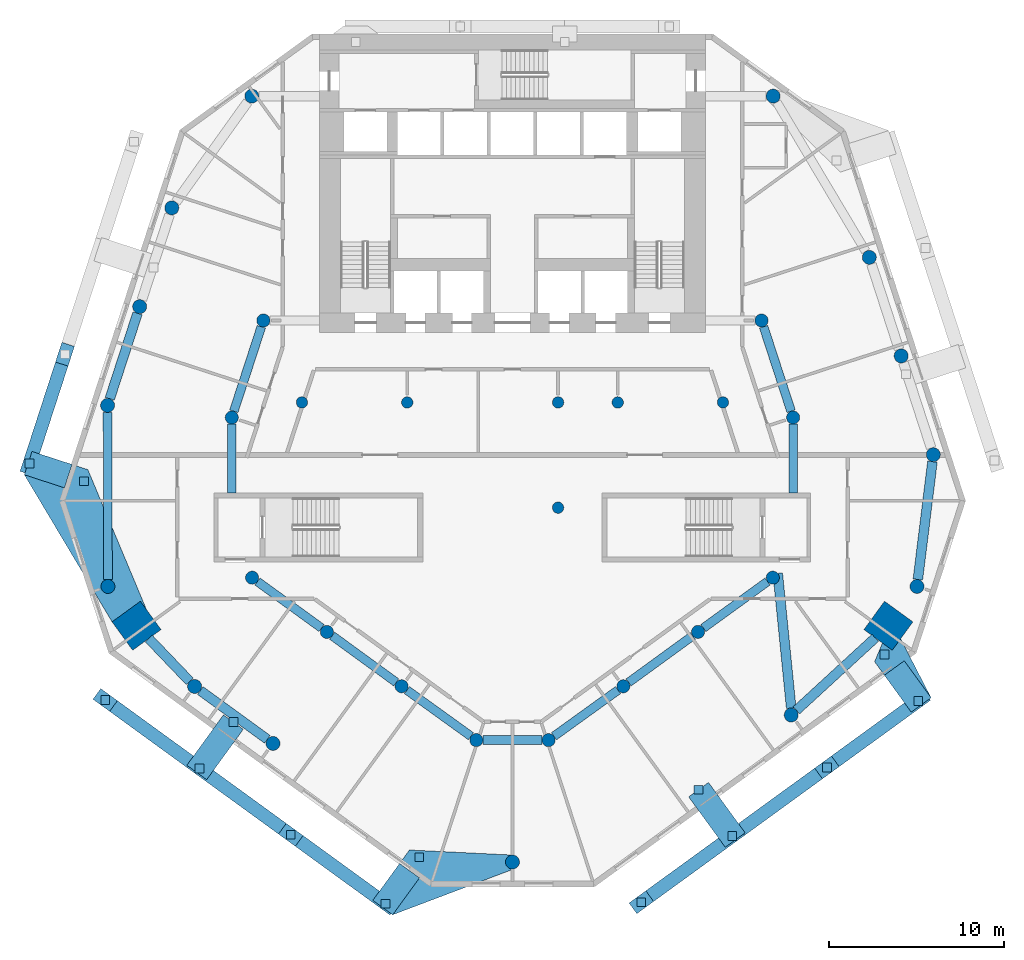
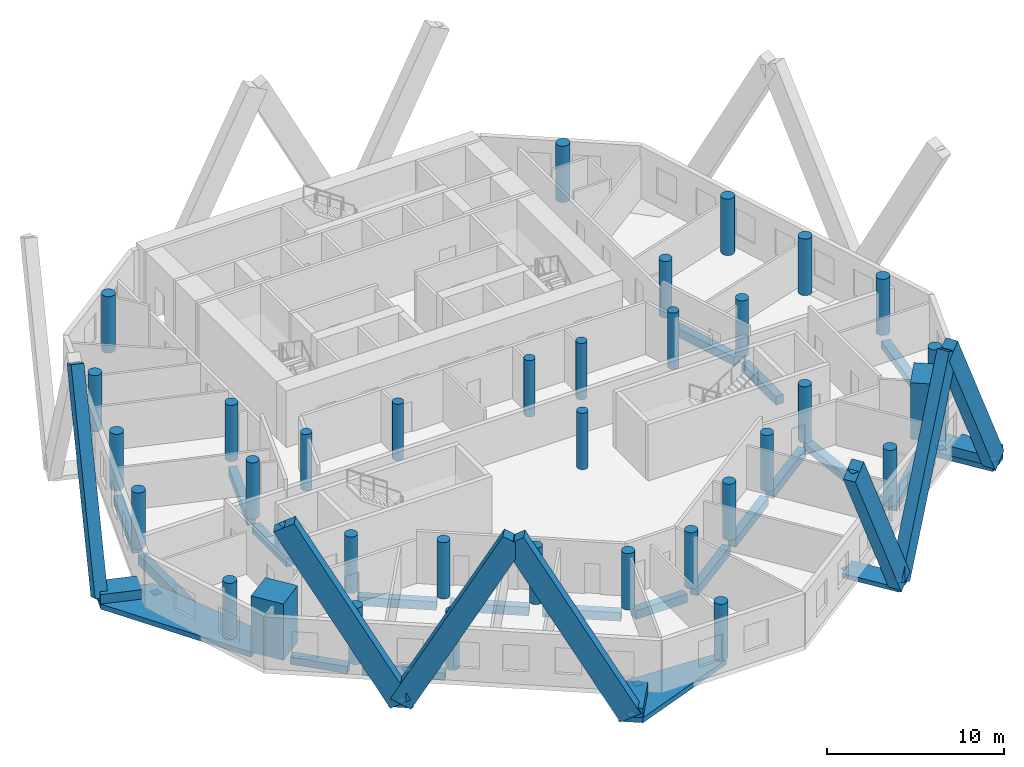
# One storey, part 1 of 10: 34 columns, 18 beams, 15 members, 14 discrete accessories.
"""IFC4 building model written with IfcOpenShell, lengths in metres."""

from ifc_helpers import new_model, si_unit, direction, frame, origin, origin_2d, place, context, subcontext, project, spatial, polyline, rectangle, circle, outline, extrude, material, layer, layer_set, material_profile, profile_set, type_object, element, aggregate, save


model = new_model("IFC4")

# Units and contexts
model_context = context("Model", 3, precision=1e-05, world=origin(), true_north=direction((0.0, 1.0)))
body_context = subcontext(model_context, "Body", "Model", "MODEL_VIEW")
ifc_project = project(units=[si_unit("LENGTHUNIT", "METRE"), si_unit("AREAUNIT", "SQUARE_METRE"), si_unit("VOLUMEUNIT", "CUBIC_METRE"), si_unit("PLANEANGLEUNIT", "RADIAN"), si_unit("MASSUNIT", "GRAM", prefix="KILO")], contexts=[model_context])

# Site, building, storey
site_placement = place(None, origin())
site = spatial("IfcSite", under=ifc_project, at=site_placement, CompositionType="ELEMENT")
building_placement = place(site_placement, origin())
building = spatial("IfcBuilding", under=site, at=building_placement, Name="White Candle Pilgrim Tower", CompositionType="ELEMENT")
storey_placement = place(building_placement, frame((0.0, 0.0, 102.5)))
storey = spatial("IfcBuildingStorey", under=building, at=storey_placement, Name="L22", CompositionType="ELEMENT", Elevation=102.5)

# Columns
ifc_material_1 = material(Name="Concrete C80/95", Category="concrete")
ifc_material_profile_1 = material_profile(ifc_material_1, circle(Radius=0.324951171875, at=origin_2d()), Name="RC-COL D650")
ifc_profile_set_1 = profile_set([ifc_material_profile_1], Name="Concrete C80/95")
column_type_1 = type_object("IfcColumnType", Name="Interior column RC-COL D650 C80/95", PredefinedType="COLUMN", material=ifc_profile_set_1)
for number, where, z_axis, x_axis, name in (
    (1, (58.0, 67.0, 0.0), (0.0, 0.0, 1.0), (1.0, 0.0, 0.0), "L22 column I01"),
    (2, (64.0, 67.0, 0.0), (0.0, 0.0, 1.0), (1.0, 0.0, 0.0), "L22 column I02"),
    (3, (72.60009765625, 61.0, 0.0), (0.0, 0.0, 1.0), (1.0, 0.0, 0.0), "L22 column I03"),
    (4, (72.60009765625, 67.0, 0.0), (0.0, 0.0, 1.0), (1.0, 0.0, 0.0), "L22 column I04"),
    (5, (76.0, 67.0, 0.0), (0.0, 0.0, 1.0), (1.0, 0.0, 0.0), "L22 column I05"),
    (6, (82.0, 67.0, 0.0), (0.0, 0.0, 1.0), (1.0, 0.0, 0.0), "L22 column I06"),
):
    element("IfcColumn", number, at=place(storey_placement, frame(where, z_axis=z_axis, x_axis=x_axis)), inside=storey, type_object=column_type_1, Name=name, PredefinedType="COLUMN", context=body_context, shape_type="SweptSolid", body=[
        extrude(circle(Radius=0.324951171875, at=origin_2d()), origin(), (0.0, 0.0, 1.0), 3.89990234375),
    ])
ifc_material_profile_2 = material_profile(ifc_material_1, rectangle(XDim=2.0, YDim=2.0, at=origin_2d()), Name="RC 2000x2000")
ifc_profile_set_2 = profile_set([ifc_material_profile_2], Name="Concrete C80/95")
column_type_2 = type_object("IfcColumnType", Name="Mega column RC 2000x2000 C80/95", PredefinedType="COLUMN", material=ifc_profile_set_2)
for number, where, z_axis, x_axis, name in (
    (7, (48.570068359375, 54.27001953125, 0.0), (0.0, 0.0, 1.0), (-0.809016994375, -0.587785252292, 0.0), "L22 mega column T02"),
    (8, (91.429931640625, 54.27001953125, 0.0), (0.0, 0.0, 1.0), (0.809016994375, -0.587785252292, 0.0), "L22 mega column T07"),
):
    element("IfcColumn", number, at=place(storey_placement, frame(where, z_axis=z_axis, x_axis=x_axis)), inside=storey, type_object=column_type_2, Name=name, PredefinedType="COLUMN", context=body_context, shape_type="SweptSolid", body=[
        extrude(rectangle(XDim=2.0, YDim=2.0, at=origin_2d()), origin(), (0.0, 0.0, 1.0), 3.89990234375),
    ])
ifc_material_profile_3 = material_profile(ifc_material_1, circle(Radius=0.39990234375, at=origin_2d()), Name="RC-COL D800")
ifc_profile_set_3 = profile_set([ifc_material_profile_3], Name="Concrete C80/95")
column_type_3 = type_object("IfcColumnType", Name="Perimeter column RC-COL D800 C80/95", PredefinedType="COLUMN", material=ifc_profile_set_3)
for number, where, z_axis, x_axis, name in (
    (9, (46.93994140625, 56.510009765625, 0.0), (0.0, 0.0, 1.0), (1.0, 0.0, 0.0), "L22 column T01"),
    (10, (51.8798828125, 50.81005859375, 0.0), (0.0, 0.0, 1.0), (1.0, 0.0, 0.0), "L22 column T03"),
    (11, (56.35009765625, 47.56005859375, 0.0), (0.0, 0.0, 1.0), (1.0, 0.0, 0.0), "L22 column T04"),
    (12, (70.0, 40.800048828125, 0.0), (0.0, 0.0, 1.0), (1.0, 0.0, 0.0), "L22 column T05"),
    (13, (85.889892578125, 49.179931640625, 0.0), (0.0, 0.0, 1.0), (1.0, 0.0, 0.0), "L22 column T06"),
    (14, (93.06005859375, 56.510009765625, 0.0), (0.0, 0.0, 1.0), (1.0, 0.0, 0.0), "L22 column T08"),
    (15, (93.989990234375, 64.02001953125, 0.0), (0.0, 0.0, 1.0), (1.0, 0.0, 0.0), "L22 column T09"),
    (16, (92.159912109375, 69.64990234375, 0.0), (0.0, 0.0, 1.0), (1.0, 0.0, 0.0), "L22 column T10"),
    (17, (90.340087890625, 75.27001953125, 0.0), (0.0, 0.0, 1.0), (1.0, 0.0, 0.0), "L22 column T11"),
    (18, (84.860107421875, 84.4599609375, 0.0), (0.0, 0.0, 1.0), (1.0, 0.0, 0.0), "L22 column T12"),
    (19, (55.139892578125, 84.4599609375, 0.0), (0.0, 0.0, 1.0), (1.0, 0.0, 0.0), "L22 column T13"),
    (20, (50.580078125, 78.090087890625, 0.0), (0.0, 0.0, 1.0), (1.0, 0.0, 0.0), "L22 column T14"),
    (21, (48.75, 72.4599609375, 0.0), (0.0, 0.0, 1.0), (1.0, 0.0, 0.0), "L22 column T15"),
    (22, (46.919921875, 66.830078125, 0.0), (0.0, 0.0, 1.0), (1.0, 0.0, 0.0), "L22 column T16"),
):
    element("IfcColumn", number, at=place(storey_placement, frame(where, z_axis=z_axis, x_axis=x_axis)), inside=storey, type_object=column_type_3, Name=name, PredefinedType="COLUMN", context=body_context, shape_type="SweptSolid", body=[
        extrude(circle(Radius=0.39990234375, at=origin_2d()), origin(), (0.0, 0.0, 1.0), 3.89990234375),
    ])
ifc_material_profile_4 = material_profile(ifc_material_1, circle(Radius=0.375, at=origin_2d()), Name="RC-COL D750")
ifc_profile_set_4 = profile_set([ifc_material_profile_4], Name="Concrete C80/95")
column_type_4 = type_object("IfcColumnType", Name="Ring column RC-COL D750 C80/95", PredefinedType="COLUMN", material=ifc_profile_set_4)
for number, where, z_axis, x_axis, name in (
    (23, (55.159912109375, 57.010009765625, 0.0), (0.0, 0.0, 1.0), (1.0, 0.0, 0.0), "L22 column R01"),
    (24, (59.419921875, 53.919921875, 0.0), (0.0, 0.0, 1.0), (1.0, 0.0, 0.0), "L22 column R02"),
    (25, (63.679931640625, 50.820068359375, 0.0), (0.0, 0.0, 1.0), (1.0, 0.0, 0.0), "L22 column R03"),
    (26, (67.93994140625, 47.75, 0.0), (0.0, 0.0, 1.0), (1.0, 0.0, 0.0), "L22 column R04"),
    (27, (72.06005859375, 47.75, 0.0), (0.0, 0.0, 1.0), (1.0, 0.0, 0.0), "L22 column R05"),
    (28, (76.320068359375, 50.820068359375, 0.0), (0.0, 0.0, 1.0), (1.0, 0.0, 0.0), "L22 column R06"),
    (29, (80.580078125, 53.919921875, 0.0), (0.0, 0.0, 1.0), (1.0, 0.0, 0.0), "L22 column R07"),
    (30, (84.840087890625, 57.010009765625, 0.0), (0.0, 0.0, 1.0), (1.0, 0.0, 0.0), "L22 column R08"),
    (31, (86.0, 66.139892578125, 0.0), (0.0, 0.0, 1.0), (1.0, 0.0, 0.0), "L22 column R09"),
    (32, (84.199951171875, 71.669921875, 0.0), (0.0, 0.0, 1.0), (1.0, 0.0, 0.0), "L22 column R10"),
    (33, (55.800048828125, 71.669921875, 0.0), (0.0, 0.0, 1.0), (1.0, 0.0, 0.0), "L22 column R11"),
    (34, (54.0, 66.139892578125, 0.0), (0.0, 0.0, 1.0), (1.0, 0.0, 0.0), "L22 column R12"),
):
    element("IfcColumn", number, at=place(storey_placement, frame(where, z_axis=z_axis, x_axis=x_axis)), inside=storey, type_object=column_type_4, Name=name, PredefinedType="COLUMN", context=body_context, shape_type="SweptSolid", body=[
        extrude(circle(Radius=0.375, at=origin_2d()), origin(), (0.0, 0.0, 1.0), 3.89990234375),
    ])

# Member
ifc_material_2 = material(Name="Concrete C80/95, white", Category="concrete")
ifc_material_profile_5 = material_profile(ifc_material_2, rectangle(XDim=0.75, YDim=1.35009765625, at=origin_2d()), Name="RC-DG 750x1350")
ifc_profile_set_5 = profile_set([ifc_material_profile_5], Name="Concrete C80/95, white")
member_type_1 = type_object("IfcMemberType", Name="Exoskeleton diagonal RC-DG 750x1350 C80/95", PredefinedType="BRACE", material=ifc_profile_set_5)
member_1_placement = place(storey_placement, frame((82.534423828125, 42.27734375, 0.0), z_axis=(-0.388829964377, -0.282495975813, 0.876930602985), x_axis=(0.587777722186, -0.809022465264, 0.0)))
member_1 = element("IfcMember", 35, at=member_1_placement, inside=storey, type_object=member_type_1, Name="Exoskeleton diagonal EX088", PredefinedType="BRACE", context=body_context, shape_type="SweptSolid", body=[
    extrude(rectangle(XDim=0.75, YDim=1.35009765625, at=origin_2d()), origin(), (0.0, 0.0, 1.0), 13.342041015625),
])

member_2_placement = place(storey_placement, frame((82.534423828125, 42.27734375, 0.0), z_axis=(0.400419608699, 0.290922505958, 0.868923605673), x_axis=(-0.587786086968, 0.809016387947, 0.0)))
member_2 = element("IfcMember", 36, at=member_2_placement, inside=storey, type_object=member_type_1, Name="Exoskeleton diagonal EX089", PredefinedType="BRACE", context=body_context, shape_type="SweptSolid", body=[
    extrude(rectangle(XDim=0.75, YDim=1.35009765625, at=origin_2d()), origin(), (0.0, 0.0, 1.0), 13.46484375),
])

member_3_placement = place(storey_placement, frame((93.135498046875, 49.9794921875, 0.0), z_axis=(-0.390079858208, -0.283410255966, 0.87608009396), x_axis=(0.587786134163, -0.809016353658, 0.0)))
member_3 = element("IfcMember", 37, at=member_3_placement, inside=storey, type_object=member_type_1, Name="Exoskeleton diagonal EX090", PredefinedType="BRACE", context=body_context, shape_type="SweptSolid", body=[
    extrude(rectangle(XDim=0.75, YDim=1.35009765625, at=origin_2d()), origin(), (0.0, 0.0, 1.0), 13.35498046875),
])

member_4_placement = place(storey_placement, frame((52.1650390625, 46.12841796875, 0.0), z_axis=(-0.399816878868, 0.290484014579, 0.869347744373), x_axis=(-0.587785316746, -0.809016947547, 0.0)))
member_4 = element("IfcMember", 38, at=member_4_placement, inside=storey, type_object=member_type_1, Name="Exoskeleton diagonal EX100", PredefinedType="BRACE", context=body_context, shape_type="SweptSolid", body=[
    extrude(rectangle(XDim=0.75, YDim=1.35009765625, at=origin_2d()), origin(), (0.0, 0.0, 1.0), 13.458251953125),
])

member_5_placement = place(storey_placement, frame((52.1650390625, 46.12841796875, 0.0), z_axis=(0.389448616271, -0.282946043005, 0.876510873881), x_axis=(0.587778536732, 0.809021873473, 0.0)))
member_5 = element("IfcMember", 39, at=member_5_placement, inside=storey, type_object=member_type_1, Name="Exoskeleton diagonal EX101", PredefinedType="BRACE", context=body_context, shape_type="SweptSolid", body=[
    extrude(rectangle(XDim=0.75, YDim=1.35009765625, at=origin_2d()), origin(), (0.0, 0.0, 1.0), 13.348388671875),
])

member_6_placement = place(storey_placement, frame((62.76611328125, 38.42626953125, 0.0), z_axis=(-0.401034546759, 0.291374822305, 0.868488344903), x_axis=(-0.58779339733, -0.809011076596, 0.0)))
member_6 = element("IfcMember", 40, at=member_6_placement, inside=storey, type_object=member_type_1, Name="Exoskeleton diagonal EX102", PredefinedType="BRACE", context=body_context, shape_type="SweptSolid", body=[
    extrude(rectangle(XDim=0.75, YDim=1.35009765625, at=origin_2d()), origin(), (0.0, 0.0, 1.0), 13.4716796875),
])

member_7_placement = place(storey_placement, frame((42.466064453125, 63.516357421875, 0.0), z_axis=(0.150958396212, 0.464600819702, 0.872558101759), x_axis=(-0.951056252185, 0.309017807221, 0.0)))
member_7 = element("IfcMember", 41, at=member_7_placement, inside=storey, type_object=member_type_1, Name="Exoskeleton diagonal EX114", PredefinedType="BRACE", context=body_context, shape_type="SweptSolid", body=[
    extrude(rectangle(XDim=0.75, YDim=1.35009765625, at=origin_2d()), origin(), (0.0, 0.0, 1.0), 13.40869140625),
])

ifc_material_3 = material(Name="Concrete C70/85, white", Category="concrete")
ifc_layer_1 = layer(ifc_material_3, 0.300048828125)
ifc_layer_set_1 = layer_set([ifc_layer_1], Name="Node tie strut 3350x1400x300 C70/85")
member_type_2 = type_object("IfcMemberType", Name="Node tie strut 3350x1400x300 C70/85", PredefinedType="STRUT", material=ifc_layer_set_1)
member_8_placement = place(storey_placement, frame((0.0, 0.0, -0.35009765625)))
member_8 = element("IfcMember", 42, at=member_8_placement, inside=storey, type_object=member_type_2, Name="Node tie strut NC070", PredefinedType="STRUT", context=body_context, shape_type="SweptSolid", body=[
    extrude(outline(polyline([(47.173095703125, 54.4912109375), (48.791259765625, 55.666748046875), (49.140869140625, 55.185546875), (45.797119140625, 63.170166015625), (42.611083984375, 64.205322265625), (42.178466796875, 62.873779296875), (47.173095703125, 54.4912109375)])), origin(), (0.0, 0.0, 1.0), 0.35009765625),
])

member_9_placement = place(storey_placement, origin())
element("IfcMember", 43, at=member_9_placement, inside=storey, type_object=member_type_2, Name="Node tie strut NC070", PredefinedType="STRUT", context=body_context, shape_type="SweptSolid", body=[
    extrude(outline(polyline([(44.4609375, 62.132080078125), (44.8935546875, 63.463623046875), (42.611083984375, 64.205322265625), (42.178466796875, 62.873779296875), (44.4609375, 62.132080078125)])), origin(), (0.0, 0.0, 1.0), 0.64990234375),
])

ifc_layer_2 = layer(ifc_material_3, 0.300048828125)
ifc_layer_set_2 = layer_set([ifc_layer_2], Name="Node tie strut 3550x1400x300 C70/85")
member_type_3 = type_object("IfcMemberType", Name="Node tie strut 3550x1400x300 C70/85", PredefinedType="STRUT", material=ifc_layer_set_2)
member_10_placement = place(storey_placement, frame((81.652587890625, 43.490966796875, -0.2998046875), z_axis=(0.0, 0.0, 1.0), x_axis=(0.809016994375, 0.587785252292, 0.0)))
member_10 = element("IfcMember", 44, at=member_10_placement, inside=storey, type_object=member_type_3, Name="Node tie strut NC065", PredefinedType="STRUT", context=body_context, shape_type="SweptSolid", body=[
    extrude(rectangle(XDim=1.39990234375, YDim=3.550048828125, at=origin_2d()), origin(), (0.0, 0.0, 1.0), 0.300048828125),
])

member_11_placement = place(storey_placement, frame((0.0, 0.0, -0.35009765625)))
member_11 = element("IfcMember", 45, at=member_11_placement, inside=storey, type_object=member_type_3, Name="Node tie strut NC066", PredefinedType="STRUT", context=body_context, shape_type="SweptSolid", body=[
    extrude(outline(polyline([(92.73095703125, 49.345703125), (93.863525390625, 50.16845703125), (92.126708984375, 53.52734375), (91.651123046875, 52.873291015625), (91.08837890625, 53.281982421875), (90.644287109375, 52.2177734375), (92.73095703125, 49.345703125)])), origin(), (0.0, 0.0, 1.0), 0.35009765625),
])

member_12_placement = place(storey_placement, origin())
element("IfcMember", 46, at=member_12_placement, inside=storey, type_object=member_type_3, Name="Node tie strut NC066", PredefinedType="STRUT", context=body_context, shape_type="SweptSolid", body=[
    extrude(outline(polyline([(92.73095703125, 49.345703125), (93.863525390625, 50.16845703125), (92.335205078125, 52.27197265625), (91.20263671875, 51.44921875), (92.73095703125, 49.345703125)])), origin(), (0.0, 0.0, 1.0), 0.64990234375),
])

member_13_placement = place(storey_placement, frame((53.046630859375, 47.342041015625, -0.2998046875), z_axis=(0.0, 0.0, 1.0), x_axis=(0.809016994375, -0.587785252292, 0.0)))
member_13 = element("IfcMember", 47, at=member_13_placement, inside=storey, type_object=member_type_3, Name="Node tie strut NC067", PredefinedType="STRUT", context=body_context, shape_type="SweptSolid", body=[
    extrude(rectangle(XDim=1.39990234375, YDim=3.550048828125, at=origin_2d()), origin(), (0.0, 0.0, 1.0), 0.300048828125),
])

member_14_placement = place(storey_placement, frame((0.0, 0.0, -0.35009765625)))
member_14 = element("IfcMember", 48, at=member_14_placement, inside=storey, type_object=member_type_3, Name="Node tie strut NC068", PredefinedType="STRUT", context=body_context, shape_type="SweptSolid", body=[
    extrude(outline(polyline([(63.1708984375, 37.792236328125), (70.153076171875, 40.430419921875), (70.128662109375, 40.421142578125), (70.103515625, 40.41357421875), (70.077880859375, 40.40771484375), (70.05224609375, 40.4033203125), (70.026123046875, 40.40087890625), (70.0, 40.39990234375), (69.973876953125, 40.40087890625), (69.94775390625, 40.4033203125), (69.922119140625, 40.40771484375), (69.896484375, 40.41357421875), (69.871337890625, 40.421142578125), (69.846923828125, 40.430419921875), (69.822998046875, 40.44140625), (69.800048828125, 40.45361328125), (69.77783203125, 40.46728515625), (69.756591796875, 40.482666015625), (69.736328125, 40.499267578125), (69.71728515625, 40.51708984375), (69.69921875, 40.536376953125), (69.6826171875, 40.556396484375), (69.66748046875, 40.577880859375), (69.653564453125, 40.60009765625), (69.641357421875, 40.623046875), (69.63037109375, 40.64697265625), (69.62109375, 40.67138671875), (69.613525390625, 40.696533203125), (69.607666015625, 40.721923828125), (69.603515625, 40.747802734375), (69.600830078125, 40.773681640625), (69.60009765625, 40.800048828125), (69.600830078125, 40.826171875), (69.603515625, 40.852294921875), (69.607666015625, 40.8779296875), (69.613525390625, 40.903564453125), (69.62109375, 40.9287109375), (69.63037109375, 40.953125), (69.641357421875, 40.976806640625), (69.653564453125, 41.0), (69.66748046875, 41.022216796875), (69.6826171875, 41.04345703125), (69.69921875, 41.063720703125), (69.71728515625, 41.082763671875), (69.736328125, 41.1005859375), (69.756591796875, 41.1171875), (69.77783203125, 41.132568359375), (69.800048828125, 41.146484375), (69.822998046875, 41.15869140625), (69.846923828125, 41.169677734375), (69.871337890625, 41.1787109375), (69.896484375, 41.186279296875), (69.922119140625, 41.1923828125), (69.94775390625, 41.196533203125), (69.973876953125, 41.19921875), (70.0, 41.199951171875), (70.026123046875, 41.19921875), (64.125, 41.4873046875), (62.038330078125, 38.615234375), (63.1708984375, 37.792236328125)])), origin(), (0.0, 0.0, 1.0), 0.35009765625),
])

member_15_placement = place(storey_placement, origin())
element("IfcMember", 49, at=member_15_placement, inside=storey, type_object=member_type_3, Name="Node tie strut NC068", PredefinedType="STRUT", context=body_context, shape_type="SweptSolid", body=[
    extrude(outline(polyline([(63.1708984375, 37.792236328125), (64.69921875, 39.895751953125), (63.56640625, 40.71875), (62.038330078125, 38.615234375), (63.1708984375, 37.792236328125)])), origin(), (0.0, 0.0, 1.0), 0.64990234375),
])

# Beams
ifc_material_4 = material(Name="Concrete C50/60", Category="concrete")
ifc_material_profile_6 = material_profile(ifc_material_4, rectangle(XDim=0.5, YDim=0.60009765625, at=origin_2d()), Name="RC-BM 500x600")
ifc_profile_set_6 = profile_set([ifc_material_profile_6], Name="Concrete C50/60")
beam_type_1 = type_object("IfcBeamType", Name="Ring beam RC-BM 500x600 C50/60", PredefinedType="BEAM", material=ifc_profile_set_6)
beam_1_placement = place(storey_placement, frame((55.46337890625, 56.789794921875, -0.60009765625), z_axis=(0.809505029053, -0.587112943084, 0.0), x_axis=(0.587112943084, 0.809505029053, 0.0)))
element("IfcBeam", 50, at=beam_1_placement, inside=storey, type_object=beam_type_1, Name="L22 ring beam R01", PredefinedType="BEAM", context=body_context, shape_type="SweptSolid", body=[
    extrude(rectangle(XDim=0.5, YDim=0.60009765625, at=origin_2d()), origin(), (0.0, 0.0, 1.0), 4.512939453125),
])
beam_2_placement = place(storey_placement, frame((59.72314453125, 53.699462890625, -0.60009765625), z_axis=(0.808565500751, -0.588406178583, 0.0), x_axis=(0.588406178583, 0.808565500751, 0.0)))
element("IfcBeam", 51, at=beam_2_placement, inside=storey, type_object=beam_type_1, Name="L22 ring beam R02", PredefinedType="BEAM", context=body_context, shape_type="SweptSolid", body=[
    extrude(rectangle(XDim=0.5, YDim=0.60009765625, at=origin_2d()), origin(), (0.0, 0.0, 1.0), 4.518798828125),
])
beam_3_placement = place(storey_placement, frame((63.984130859375, 50.600830078125, -0.60009765625), z_axis=(0.811270905805, -0.584670434856, 0.0), x_axis=(0.584670434856, 0.811270905805, 0.0)))
element("IfcBeam", 52, at=beam_3_placement, inside=storey, type_object=beam_type_1, Name="L22 ring beam R03", PredefinedType="BEAM", context=body_context, shape_type="SweptSolid", body=[
    extrude(rectangle(XDim=0.5, YDim=0.60009765625, at=origin_2d()), origin(), (0.0, 0.0, 1.0), 4.50146484375),
])
beam_4_placement = place(storey_placement, frame((68.31494140625, 47.75, -0.60009765625), z_axis=(1.0, 0.0, 0.0), x_axis=(0.0, 1.0, 0.0)))
element("IfcBeam", 53, at=beam_4_placement, inside=storey, type_object=beam_type_1, Name="L22 ring beam R04", PredefinedType="BEAM", context=body_context, shape_type="SweptSolid", body=[
    extrude(rectangle(XDim=0.5, YDim=0.60009765625, at=origin_2d()), origin(), (0.0, 0.0, 1.0), 3.3701171875),
])
beam_5_placement = place(storey_placement, frame((72.364013671875, 47.968994140625, -0.60009765625), z_axis=(0.811270905805, 0.584670434856, 0.0), x_axis=(-0.584670434856, 0.811270905805, 0.0)))
element("IfcBeam", 54, at=beam_5_placement, inside=storey, type_object=beam_type_1, Name="L22 ring beam R05", PredefinedType="BEAM", context=body_context, shape_type="SweptSolid", body=[
    extrude(rectangle(XDim=0.5, YDim=0.60009765625, at=origin_2d()), origin(), (0.0, 0.0, 1.0), 4.50146484375),
])
beam_6_placement = place(storey_placement, frame((76.623046875, 51.04052734375, -0.60009765625), z_axis=(0.808565500751, 0.588406178583, 0.0), x_axis=(-0.588406178583, 0.808565500751, 0.0)))
element("IfcBeam", 55, at=beam_6_placement, inside=storey, type_object=beam_type_1, Name="L22 ring beam R06", PredefinedType="BEAM", context=body_context, shape_type="SweptSolid", body=[
    extrude(rectangle(XDim=0.5, YDim=0.60009765625, at=origin_2d()), origin(), (0.0, 0.0, 1.0), 4.518798828125),
])
beam_7_placement = place(storey_placement, frame((80.88330078125, 54.14013671875, -0.60009765625), z_axis=(0.809505029053, 0.587112943084, 0.0), x_axis=(-0.587112943084, 0.809505029053, 0.0)))
element("IfcBeam", 56, at=beam_7_placement, inside=storey, type_object=beam_type_1, Name="L22 ring beam R07", PredefinedType="BEAM", context=body_context, shape_type="SweptSolid", body=[
    extrude(rectangle(XDim=0.5, YDim=0.60009765625, at=origin_2d()), origin(), (0.0, 0.0, 1.0), 4.512939453125),
])
beam_8_placement = place(storey_placement, frame((86.0, 65.764892578125, -0.60009765625), z_axis=(0.0, -1.0, 0.0), x_axis=(1.0, 0.0, 0.0)))
element("IfcBeam", 57, at=beam_8_placement, inside=storey, type_object=beam_type_1, Name="L22 ring beam R08", PredefinedType="BEAM", context=body_context, shape_type="SweptSolid", body=[
    extrude(rectangle(XDim=0.5, YDim=0.60009765625, at=origin_2d()), origin(), (0.0, 0.0, 1.0), 3.914794921875),
])
for number, where, z_axis, x_axis, name in (
    (58, (85.884033203125, 66.49658203125, -0.60009765625), (-0.309554632353, 0.950881659087, 0.0), (-0.950881659087, -0.309554632353, 0.0), "L22 ring beam R09"),
    (59, (55.68408203125, 71.3134765625, -0.60009765625), (-0.309554632353, -0.950881659087, 0.0), (0.950881659087, -0.309554632353, 0.0), "L22 ring beam R12"),
):
    element("IfcBeam", number, at=place(storey_placement, frame(where, z_axis=z_axis, x_axis=x_axis)), inside=storey, type_object=beam_type_1, Name=name, PredefinedType="BEAM", context=body_context, shape_type="SweptSolid", body=[
        extrude(rectangle(XDim=0.5, YDim=0.60009765625, at=origin_2d()), origin(), (0.0, 0.0, 1.0), 5.065673828125),
    ])
beam_9_placement = place(storey_placement, frame((54.0, 65.764892578125, -0.60009765625), z_axis=(0.0, -1.0, 0.0), x_axis=(1.0, 0.0, 0.0)))
element("IfcBeam", 60, at=beam_9_placement, inside=storey, type_object=beam_type_1, Name="L22 ring beam R13", PredefinedType="BEAM", context=body_context, shape_type="SweptSolid", body=[
    extrude(rectangle(XDim=0.5, YDim=0.60009765625, at=origin_2d()), origin(), (0.0, 0.0, 1.0), 3.914794921875),
])
ifc_material_profile_7 = material_profile(ifc_material_4, rectangle(XDim=0.5, YDim=0.699951171875, at=origin_2d()), Name="RC-BM 500x700")
ifc_profile_set_7 = profile_set([ifc_material_profile_7], Name="Concrete C50/60")
beam_type_2 = type_object("IfcBeamType", Name="Spandrel beam RC-BM 500x700 C50/60", PredefinedType="BEAM", material=ifc_profile_set_7)
beam_10_placement = place(storey_placement, frame((46.9208984375, 66.429931640625, -0.64990234375), z_axis=(0.001923369269, -0.999998150324, 0.0), x_axis=(0.999998150324, 0.001923369269, 0.0)))
element("IfcBeam", 61, at=beam_10_placement, inside=storey, type_object=beam_type_2, Name="L22 spandrel beam T14", PredefinedType="BEAM", context=body_context, shape_type="SweptSolid", body=[
    extrude(rectangle(XDim=0.5, YDim=0.699951171875, at=origin_2d()), origin(), (0.0, 0.0, 1.0), 9.52001953125),
])
ifc_material_profile_8 = material_profile(ifc_material_4, rectangle(XDim=0.550048828125, YDim=0.5, at=origin_2d()), Name="RC-BM 550x500")
ifc_profile_set_8 = profile_set([ifc_material_profile_8], Name="Concrete C50/60")
beam_type_3 = type_object("IfcBeamType", Name="Spandrel beam RC-BM 550x500 C50/60", PredefinedType="BEAM", material=ifc_profile_set_8)
beam_11_placement = place(storey_placement, frame((49.267578125, 53.540771484375, -0.550048828125), z_axis=(0.6912554522, -0.722610475847, 0.0), x_axis=(0.722610475847, 0.6912554522, 0.0)))
element("IfcBeam", 62, at=beam_11_placement, inside=storey, type_object=beam_type_3, Name="L22 spandrel beam T01", PredefinedType="BEAM", context=body_context, shape_type="SweptSolid", body=[
    extrude(rectangle(XDim=0.550048828125, YDim=0.5, at=origin_2d()), origin(), (0.0, 0.0, 1.0), 3.379150390625),
])
beam_12_placement = place(storey_placement, frame((52.203369140625, 50.574951171875, -0.550048828125), z_axis=(0.808812014489, -0.5880672795, 0.0), x_axis=(0.5880672795, 0.808812014489, 0.0)))
element("IfcBeam", 63, at=beam_12_placement, inside=storey, type_object=beam_type_3, Name="L22 spandrel beam T02", PredefinedType="BEAM", context=body_context, shape_type="SweptSolid", body=[
    extrude(rectangle(XDim=0.550048828125, YDim=0.5, at=origin_2d()), origin(), (0.0, 0.0, 1.0), 4.72705078125),
])
beam_13_placement = place(storey_placement, frame((85.889892578125, 49.580078125, -0.550048828125), z_axis=(-0.099547579937, 0.995032803142, 0.0), x_axis=(-0.995032803142, -0.099547579937, 0.0)))
element("IfcBeam", 64, at=beam_13_placement, inside=storey, type_object=beam_type_3, Name="L22 spandrel beam T03", PredefinedType="BEAM", context=body_context, shape_type="SweptSolid", body=[
    extrude(rectangle(XDim=0.550048828125, YDim=0.5, at=origin_2d()), origin(), (0.0, 0.0, 1.0), 7.715576171875),
])
beam_14_placement = place(storey_placement, frame((86.184326171875, 49.450439453125, -0.550048828125), z_axis=(0.736374917929, 0.67657370644, 0.0), x_axis=(-0.67657370644, 0.736374917929, 0.0)))
element("IfcBeam", 65, at=beam_14_placement, inside=storey, type_object=beam_type_3, Name="L22 spandrel beam T04", PredefinedType="BEAM", context=body_context, shape_type="SweptSolid", body=[
    extrude(rectangle(XDim=0.550048828125, YDim=0.5, at=origin_2d()), origin(), (0.0, 0.0, 1.0), 6.103271484375),
])
beam_15_placement = place(storey_placement, frame((93.109130859375, 56.906982421875, -0.550048828125), z_axis=(0.122911300598, 0.992417660154, 0.0), x_axis=(-0.992417660154, 0.122911300598, 0.0)))
element("IfcBeam", 66, at=beam_15_placement, inside=storey, type_object=beam_type_3, Name="L22 spandrel beam T05", PredefinedType="BEAM", context=body_context, shape_type="SweptSolid", body=[
    extrude(rectangle(XDim=0.550048828125, YDim=0.5, at=origin_2d()), origin(), (0.0, 0.0, 1.0), 6.767333984375),
])
beam_16_placement = place(storey_placement, frame((48.62646484375, 72.07958984375, -0.550048828125), z_axis=(-0.309123808161, -0.95102180376, 0.0), x_axis=(0.95102180376, -0.309123808161, 0.0)))
element("IfcBeam", 67, at=beam_16_placement, inside=storey, type_object=beam_type_3, Name="L22 spandrel beam T13", PredefinedType="BEAM", context=body_context, shape_type="SweptSolid", body=[
    extrude(rectangle(XDim=0.550048828125, YDim=0.5, at=origin_2d()), origin(), (0.0, 0.0, 1.0), 5.1201171875),
])

# Discrete accessory
ifc_material_5 = material(Name="Steel S355", Category="steel")
ifc_layer_3 = layer(ifc_material_5, 0.02490234375)
ifc_layer_set_3 = layer_set([ifc_layer_3], Name="Gusset plate 500x500x25 S355")
discrete_accessory_type = type_object("IfcDiscreteAccessoryType", Name="Gusset plate 500x500x25 S355", PredefinedType="BRACKET", material=ifc_layer_set_3)
discrete_accessory_1_placement = place(storey_placement, frame((82.534423828125, 42.27734375, -0.012451171875), z_axis=(0.0, 0.0, 1.0), x_axis=(1.0, 0.0, 0.0)))
discrete_accessory_1 = element("IfcDiscreteAccessory", 68, at=discrete_accessory_1_placement, type_object=discrete_accessory_type, Name="Gusset plate 0094", PredefinedType="BRACKET", context=body_context, shape_type="SweptSolid", body=[
    extrude(rectangle(XDim=0.5, YDim=0.5, at=origin_2d()), origin(), (0.0, 0.0, 1.0), 0.02490234375),
])

placement = place(building_placement, frame((0.0, 0.0, 114.199951171875)))
discrete_accessory_2_placement = place(placement, frame((77.3466796875, 38.50830078125, -0.012451171875), z_axis=(0.0, 0.0, 1.0), x_axis=(1.0, 0.0, 0.0)))
discrete_accessory_2 = element("IfcDiscreteAccessory", 69, at=discrete_accessory_2_placement, type_object=discrete_accessory_type, Name="Gusset plate 0095", PredefinedType="BRACKET", context=body_context, shape_type="SweptSolid", body=[
    extrude(rectangle(XDim=0.5, YDim=0.5, at=origin_2d()), origin(), (0.0, 0.0, 1.0), 0.02490234375),
])

aggregate(member_1, [discrete_accessory_1, discrete_accessory_2])

discrete_accessory_3_placement = place(placement, frame((87.926025390625, 46.194580078125, -0.012451171875), z_axis=(0.0, 0.0, 1.0), x_axis=(1.0, 0.0, 0.0)))
discrete_accessory_3 = element("IfcDiscreteAccessory", 70, at=discrete_accessory_3_placement, type_object=discrete_accessory_type, Name="Gusset plate 0096", PredefinedType="BRACKET", context=body_context, shape_type="SweptSolid", body=[
    extrude(rectangle(XDim=0.5, YDim=0.5, at=origin_2d()), origin(), (0.0, 0.0, 1.0), 0.02490234375),
])

aggregate(member_2, [discrete_accessory_3])

discrete_accessory_4_placement = place(storey_placement, frame((93.135498046875, 49.9794921875, -0.012451171875), z_axis=(0.0, 0.0, 1.0), x_axis=(1.0, 0.0, 0.0)))
discrete_accessory_4 = element("IfcDiscreteAccessory", 71, at=discrete_accessory_4_placement, type_object=discrete_accessory_type, Name="Gusset plate 0097", PredefinedType="BRACKET", context=body_context, shape_type="SweptSolid", body=[
    extrude(rectangle(XDim=0.5, YDim=0.5, at=origin_2d()), origin(), (0.0, 0.0, 1.0), 0.02490234375),
])

aggregate(member_3, [discrete_accessory_4])

discrete_accessory_5_placement = place(storey_placement, frame((52.1650390625, 46.12841796875, -0.012451171875), z_axis=(0.0, 0.0, 1.0), x_axis=(1.0, 0.0, 0.0)))
discrete_accessory_5 = element("IfcDiscreteAccessory", 72, at=discrete_accessory_5_placement, type_object=discrete_accessory_type, Name="Gusset plate 0110", PredefinedType="BRACKET", context=body_context, shape_type="SweptSolid", body=[
    extrude(rectangle(XDim=0.5, YDim=0.5, at=origin_2d()), origin(), (0.0, 0.0, 1.0), 0.02490234375),
])

discrete_accessory_6_placement = place(placement, frame((46.7841796875, 50.037841796875, -0.012451171875), z_axis=(0.0, 0.0, 1.0), x_axis=(1.0, 0.0, 0.0)))
discrete_accessory_6 = element("IfcDiscreteAccessory", 73, at=discrete_accessory_6_placement, type_object=discrete_accessory_type, Name="Gusset plate 0111", PredefinedType="BRACKET", context=body_context, shape_type="SweptSolid", body=[
    extrude(rectangle(XDim=0.5, YDim=0.5, at=origin_2d()), origin(), (0.0, 0.0, 1.0), 0.02490234375),
])

aggregate(member_4, [discrete_accessory_5, discrete_accessory_6])

discrete_accessory_7_placement = place(placement, frame((57.363525390625, 42.3515625, -0.012451171875), z_axis=(0.0, 0.0, 1.0), x_axis=(1.0, 0.0, 0.0)))
discrete_accessory_7 = element("IfcDiscreteAccessory", 74, at=discrete_accessory_7_placement, type_object=discrete_accessory_type, Name="Gusset plate 0112", PredefinedType="BRACKET", context=body_context, shape_type="SweptSolid", body=[
    extrude(rectangle(XDim=0.5, YDim=0.5, at=origin_2d()), origin(), (0.0, 0.0, 1.0), 0.02490234375),
])

aggregate(member_5, [discrete_accessory_7])

discrete_accessory_8_placement = place(storey_placement, frame((62.76611328125, 38.42626953125, -0.012451171875), z_axis=(0.0, 0.0, 1.0), x_axis=(1.0, 0.0, 0.0)))
discrete_accessory_8 = element("IfcDiscreteAccessory", 75, at=discrete_accessory_8_placement, type_object=discrete_accessory_type, Name="Gusset plate 0113", PredefinedType="BRACKET", context=body_context, shape_type="SweptSolid", body=[
    extrude(rectangle(XDim=0.5, YDim=0.5, at=origin_2d()), origin(), (0.0, 0.0, 1.0), 0.02490234375),
])

aggregate(member_6, [discrete_accessory_8])

discrete_accessory_9_placement = place(storey_placement, frame((42.466064453125, 63.516357421875, -0.012451171875), z_axis=(0.0, 0.0, 1.0), x_axis=(1.0, 0.0, 0.0)))
discrete_accessory_9 = element("IfcDiscreteAccessory", 76, at=discrete_accessory_9_placement, type_object=discrete_accessory_type, Name="Gusset plate 0128", PredefinedType="BRACKET", context=body_context, shape_type="SweptSolid", body=[
    extrude(rectangle(XDim=0.5, YDim=0.5, at=origin_2d()), origin(), (0.0, 0.0, 1.0), 0.02490234375),
])

aggregate(member_7, [discrete_accessory_9])

discrete_accessory_10_placement = place(storey_placement, frame((80.609375, 44.927001953125, -0.162353515625), z_axis=(0.0, 0.0, 1.0), x_axis=(1.0, 0.0, 0.0)))
discrete_accessory_10 = element("IfcDiscreteAccessory", 77, at=discrete_accessory_10_placement, type_object=discrete_accessory_type, Name="Gusset plate 0446", PredefinedType="BRACKET", context=body_context, shape_type="SweptSolid", body=[
    extrude(rectangle(XDim=0.5, YDim=0.5, at=origin_2d()), origin(), (0.0, 0.0, 1.0), 0.02490234375),
])

aggregate(member_10, [discrete_accessory_10])

discrete_accessory_11_placement = place(storey_placement, frame((91.210693359375, 52.629150390625, -0.162353515625), z_axis=(0.0, 0.0, 1.0), x_axis=(1.0, 0.0, 0.0)))
discrete_accessory_11 = element("IfcDiscreteAccessory", 78, at=discrete_accessory_11_placement, type_object=discrete_accessory_type, Name="Gusset plate 0447", PredefinedType="BRACKET", context=body_context, shape_type="SweptSolid", body=[
    extrude(rectangle(XDim=0.5, YDim=0.5, at=origin_2d()), origin(), (0.0, 0.0, 1.0), 0.02490234375),
])

aggregate(member_11, [discrete_accessory_11])

discrete_accessory_12_placement = place(storey_placement, frame((54.090087890625, 48.778076171875, -0.162353515625), z_axis=(0.0, 0.0, 1.0), x_axis=(1.0, 0.0, 0.0)))
discrete_accessory_12 = element("IfcDiscreteAccessory", 79, at=discrete_accessory_12_placement, type_object=discrete_accessory_type, Name="Gusset plate 0448", PredefinedType="BRACKET", context=body_context, shape_type="SweptSolid", body=[
    extrude(rectangle(XDim=0.5, YDim=0.5, at=origin_2d()), origin(), (0.0, 0.0, 1.0), 0.02490234375),
])

aggregate(member_13, [discrete_accessory_12])

discrete_accessory_13_placement = place(storey_placement, frame((64.691162109375, 41.07568359375, -0.162353515625), z_axis=(0.0, 0.0, 1.0), x_axis=(1.0, 0.0, 0.0)))
discrete_accessory_13 = element("IfcDiscreteAccessory", 80, at=discrete_accessory_13_placement, type_object=discrete_accessory_type, Name="Gusset plate 0449", PredefinedType="BRACKET", context=body_context, shape_type="SweptSolid", body=[
    extrude(rectangle(XDim=0.5, YDim=0.5, at=origin_2d()), origin(), (0.0, 0.0, 1.0), 0.02490234375),
])

aggregate(member_14, [discrete_accessory_13])

discrete_accessory_14_placement = place(storey_placement, frame((45.580810546875, 62.50439453125, -0.162353515625), z_axis=(0.0, 0.0, 1.0), x_axis=(1.0, 0.0, 0.0)))
discrete_accessory_14 = element("IfcDiscreteAccessory", 81, at=discrete_accessory_14_placement, type_object=discrete_accessory_type, Name="Gusset plate 0451", PredefinedType="BRACKET", context=body_context, shape_type="SweptSolid", body=[
    extrude(rectangle(XDim=0.5, YDim=0.5, at=origin_2d()), origin(), (0.0, 0.0, 1.0), 0.02490234375),
])

aggregate(member_8, [discrete_accessory_14])

save(model, "model.ifc")
